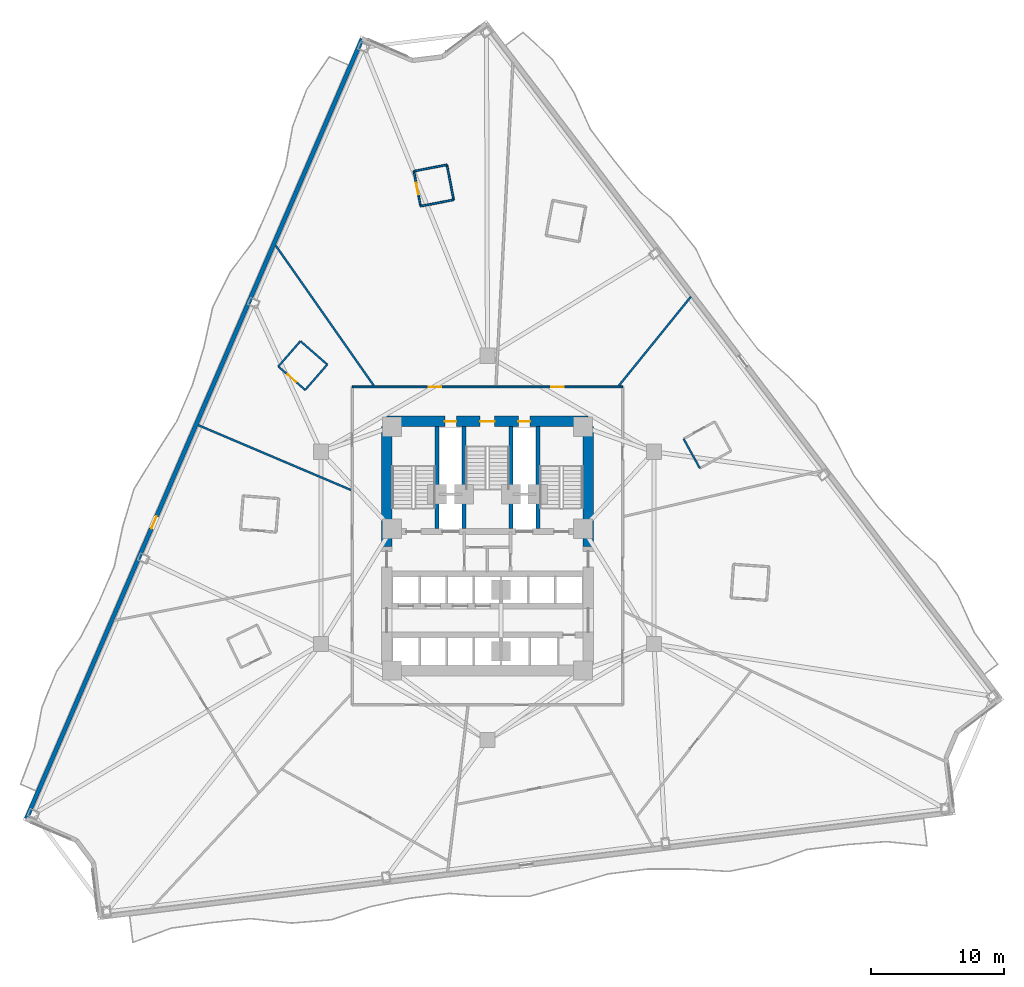
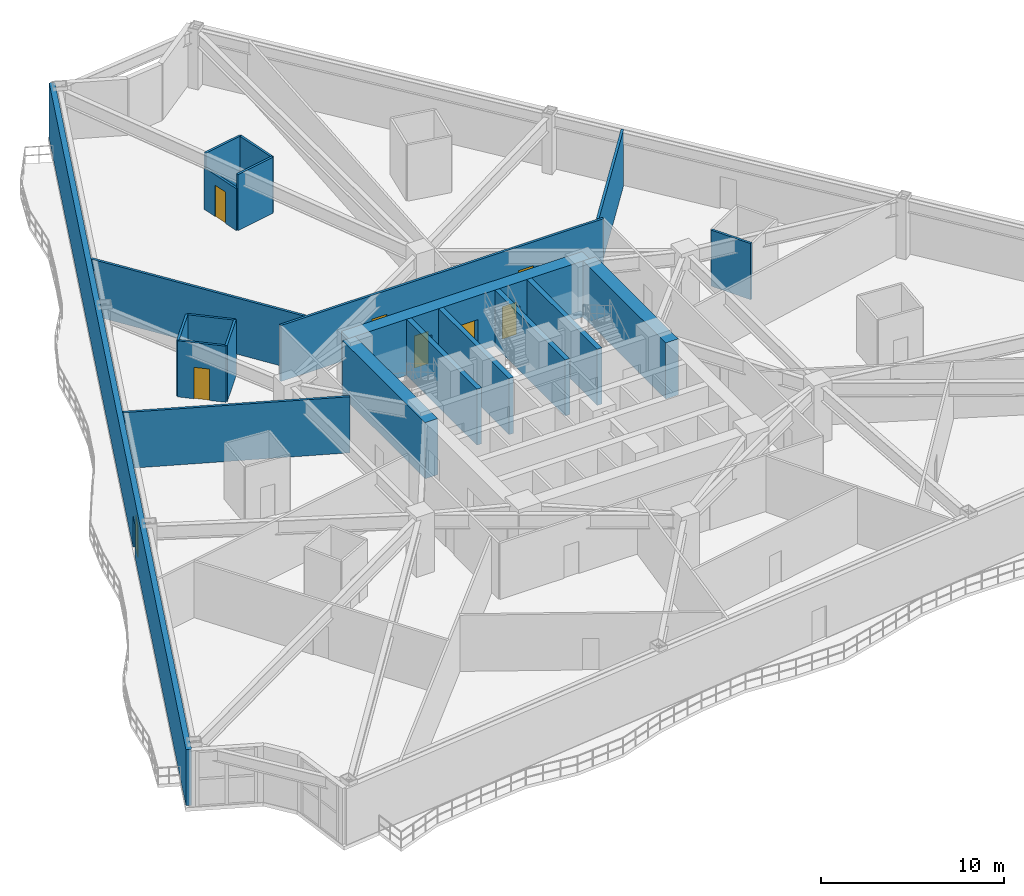
# One storey, part 10 of 17: 21 walls, 8 doors, 8 openings.
"""IFC4 building model written with IfcOpenShell, lengths in metres."""

from ifc_helpers import new_model, si_unit, direction, frame, frame_2d, origin, place, context, subcontext, project, spatial, rectangle, extrude, material, layer, layer_set, type_object, element, fill, save


model = new_model("IFC4")

# Units and contexts
model_context = context("Model", 3, precision=1e-05, world=origin(), true_north=direction((0.0, 1.0)))
body_context = subcontext(model_context, "Body", "Model", "MODEL_VIEW")
ifc_project = project(units=[si_unit("LENGTHUNIT", "METRE"), si_unit("AREAUNIT", "SQUARE_METRE"), si_unit("VOLUMEUNIT", "CUBIC_METRE"), si_unit("PLANEANGLEUNIT", "RADIAN"), si_unit("MASSUNIT", "GRAM", prefix="KILO")], contexts=[model_context])

# Site, building, storey
site_placement = place(None, origin())
site = spatial("IfcSite", under=ifc_project, at=site_placement, CompositionType="ELEMENT")
building_placement = place(site_placement, origin())
building = spatial("IfcBuilding", under=site, at=building_placement, Name="Apsidion Concourse Tower", CompositionType="ELEMENT")
storey_placement = place(building_placement, frame((0.0, 0.0, 75.0)))
storey = spatial("IfcBuildingStorey", under=building, at=storey_placement, Name="L16", CompositionType="ELEMENT", Elevation=75.0)

# Wall, opening, door
ifc_material_1 = material(Name="Precast concrete C40/50", Category="concrete")
ifc_layer_1 = layer(ifc_material_1, 0.320068359375)
ifc_layer_set_1 = layer_set([ifc_layer_1], Name="Precast concrete C40/50")
wall_type_1 = type_object("IfcWallType", Name="WL-EXT-320", PredefinedType="STANDARD", material=ifc_layer_set_1)
wall_1_placement = place(storey_placement, frame((-34.787353515625, -20.429443359375, 0.0), z_axis=(0.0, 0.0, 1.0), x_axis=(0.395418293843, 0.91850115563, 0.0)))
wall_1 = element("IfcWall", 1, at=wall_1_placement, inside=storey, type_object=wall_type_1, Name="L16 Precast Stone Facade Wall 09", PredefinedType="STANDARD", context=body_context, shape_type="SweptSolid", body=[
    extrude(rectangle(XDim=64.058349609375, YDim=0.320068359375, at=frame_2d((32.029296875, 0.0))), origin(), (0.0, 0.0, 1.0), 3.75),
])
opening_1_placement = place(wall_1_placement, frame((23.84228515625, 0.0, 0.0)))
opening_1 = element("IfcOpeningElement", 2, at=opening_1_placement, cuts=wall_1, Name="Opening D-T1L", PredefinedType="OPENING", context=body_context, shape_type="SweptSolid", body=[
    extrude(rectangle(XDim=1.0, YDim=2.14990234375, at=frame_2d((0.5, 1.074951171875))), frame((0.0, 0.169921875, 0.0), z_axis=(0.0, -1.0, 0.0), x_axis=(1.0, 0.0, 0.0)), (0.0, 0.0, 1.0), 0.340087890625),
])
ifc_material_2 = material(Name="Anodised aluminium EN AW-6063 T6", Category="aluminium")
door_type_1 = type_object("IfcDoorType", Name="DR-TER-1022L", OperationType="SINGLE_SWING_LEFT", PredefinedType="DOOR", material=ifc_material_2)
door_1_placement = place(opening_1_placement, origin())
door_1 = element("IfcDoor", 3, at=door_1_placement, inside=storey, type_object=door_type_1, Name="L16 Balcony Access Door 1", OperationType="SINGLE_SWING_LEFT", OverallHeight=2.14990234375, OverallWidth=1.0, PredefinedType="DOOR", context=body_context, shape_type="SweptSolid", body=[
    extrude(rectangle(XDim=1.0, YDim=2.14990234375, at=frame_2d((0.5, 1.074951171875))), frame((0.0, 0.02490234375, 0.0), z_axis=(0.0, -1.0, 0.0), x_axis=(1.0, 0.0, 0.0)), (0.0, 0.0, 1.0), 0.050048828125),
])
fill(opening_1, door_1)

# Walls
ifc_material_3 = material(Name="Gypsum plasterboard partition")
ifc_layer_2 = layer(ifc_material_3, 0.139892578125)
ifc_layer_set_2 = layer_set([ifc_layer_2], Name="Gypsum plasterboard partition")
wall_type_2 = type_object("IfcWallType", Name="WL-INT-PAR-140", PredefinedType="PARTITIONING", material=ifc_layer_set_2)
wall_2_placement = place(storey_placement, frame((14.80029296875, 8.23388671875, 0.0), z_axis=(0.0, 0.0, 1.0), x_axis=(0.483290772528, -0.87545989582, 0.0)))
element("IfcWall", 4, at=wall_2_placement, inside=storey, type_object=wall_type_2, Name="L16 Interior Partition WL-L16-POD-ENS05-S4", PredefinedType="PARTITIONING", context=body_context, shape_type="SweptSolid", body=[
    extrude(rectangle(XDim=2.5400390625, YDim=0.139892578125, at=frame_2d((1.27001953125, 0.0))), origin(), (0.0, 0.0, 1.0), 3.75),
])
wall_3_placement = place(storey_placement, frame((-2.548828125, 26.267333984375, 0.0), z_axis=(0.0, 0.0, 1.0), x_axis=(-0.189146988479, 0.981948785197, 0.0)))
element("IfcWall", 5, at=wall_3_placement, inside=storey, type_object=wall_type_2, Name="L16 Interior Partition WL-L16-POD-ENS07-S1", PredefinedType="PARTITIONING", context=body_context, shape_type="SweptSolid", body=[
    extrude(rectangle(XDim=2.68994140625, YDim=0.139892578125, at=frame_2d((1.344970703125, 0.0))), origin(), (0.0, 0.0, 1.0), 3.75),
])
wall_4_placement = place(storey_placement, frame((-3.0576171875, 28.90869140625, 0.0), z_axis=(0.0, 0.0, 1.0), x_axis=(-0.981963915314, -0.18906842418, 0.0)))
element("IfcWall", 6, at=wall_4_placement, inside=storey, type_object=wall_type_2, Name="L16 Interior Partition WL-L16-POD-ENS07-S2", PredefinedType="PARTITIONING", context=body_context, shape_type="SweptSolid", body=[
    extrude(rectangle(XDim=2.5400390625, YDim=0.139892578125, at=frame_2d((1.27001953125, 0.0))), origin(), (0.0, 0.0, 1.0), 3.75),
])

# Wall, opening, door
wall_5_placement = place(storey_placement, frame((-5.5517578125, 28.428466796875, 0.0), z_axis=(0.0, 0.0, 1.0), x_axis=(0.189059471851, -0.981965638963, 0.0)))
wall_5 = element("IfcWall", 7, at=wall_5_placement, inside=storey, type_object=wall_type_2, Name="L16 Interior Partition WL-L16-POD-ENS07-S3", PredefinedType="PARTITIONING", context=body_context, shape_type="SweptSolid", body=[
    extrude(rectangle(XDim=2.68994140625, YDim=0.139892578125, at=frame_2d((1.344970703125, 0.0))), origin(), (0.0, 0.0, 1.0), 2.798095703125),
])
opening_2_placement = place(wall_5_placement, frame((0.905029296875, 0.0, 0.0)))
opening_2 = element("IfcOpeningElement", 8, at=opening_2_placement, cuts=wall_5, Name="Opening D-03R", PredefinedType="OPENING", context=body_context, shape_type="SweptSolid", body=[
    extrude(rectangle(XDim=0.8798828125, YDim=2.10009765625, at=frame_2d((0.43994140625, 1.050048828125))), frame((0.0, 0.080078125, 0.0), z_axis=(0.0, -1.0, 0.0), x_axis=(1.0, 0.0, 0.0)), (0.0, 0.0, 1.0), 0.159912109375),
])
door_type_2 = type_object("IfcDoorType", Name="DR-INT-D03R", OperationType="SINGLE_SWING_RIGHT", PredefinedType="DOOR", material=ifc_material_2)
door_2_placement = place(opening_2_placement, origin())
door_2 = element("IfcDoor", 9, at=door_2_placement, inside=storey, type_object=door_type_2, Name="L16 Guest En-Suite Bathroom Door ENS07", OperationType="SINGLE_SWING_RIGHT", OverallHeight=2.10009765625, OverallWidth=0.8798828125, PredefinedType="DOOR", context=body_context, shape_type="SweptSolid", body=[
    extrude(rectangle(XDim=0.8798828125, YDim=2.10009765625, at=frame_2d((0.43994140625, 1.050048828125))), frame((0.0, 0.02490234375, 0.0), z_axis=(0.0, -1.0, 0.0), x_axis=(1.0, 0.0, 0.0)), (0.0, 0.0, 1.0), 0.050048828125),
])
fill(opening_2, door_2)

# Walls
wall_6_placement = place(storey_placement, frame((-5.043212890625, 25.787109375, 0.0), z_axis=(0.0, 0.0, 1.0), x_axis=(0.981967350823, 0.189050580314, 0.0)))
element("IfcWall", 10, at=wall_6_placement, inside=storey, type_object=wall_type_2, Name="L16 Interior Partition WL-L16-POD-ENS07-S4", PredefinedType="PARTITIONING", context=body_context, shape_type="SweptSolid", body=[
    extrude(rectangle(XDim=2.540283203125, YDim=0.139892578125, at=frame_2d((1.27001953125, 0.0))), origin(), (0.0, 0.0, 1.0), 3.75),
])
wall_7_placement = place(storey_placement, frame((-12.084228515625, 13.837158203125, 0.0), z_axis=(0.0, 0.0, 1.0), x_axis=(-0.753570970325, 0.657366558842, 0.0)))
element("IfcWall", 11, at=wall_7_placement, inside=storey, type_object=wall_type_2, Name="L16 Interior Partition WL-L16-POD-ENS08-S1", PredefinedType="PARTITIONING", context=body_context, shape_type="SweptSolid", body=[
    extrude(rectangle(XDim=2.68994140625, YDim=0.139892578125, at=frame_2d((1.344970703125, 0.0))), origin(), (0.0, 0.0, 1.0), 3.75),
])
wall_8_placement = place(storey_placement, frame((-14.111328125, 15.60546875, 0.0), z_axis=(0.0, 0.0, 1.0), x_axis=(-0.657360622572, -0.753576148701, 0.0)))
element("IfcWall", 12, at=wall_8_placement, inside=storey, type_object=wall_type_2, Name="L16 Interior Partition WL-L16-POD-ENS08-S2", PredefinedType="PARTITIONING", context=body_context, shape_type="SweptSolid", body=[
    extrude(rectangle(XDim=2.5400390625, YDim=0.139892578125, at=frame_2d((1.27001953125, 0.0))), origin(), (0.0, 0.0, 1.0), 3.75),
])

# Wall, opening, door
wall_9_placement = place(storey_placement, frame((-15.781005859375, 13.69140625, 0.0), z_axis=(0.0, 0.0, 1.0), x_axis=(0.753570970325, -0.657366558842, 0.0)))
wall_9 = element("IfcWall", 13, at=wall_9_placement, inside=storey, type_object=wall_type_2, Name="L16 Interior Partition WL-L16-POD-ENS08-S3", PredefinedType="PARTITIONING", context=body_context, shape_type="SweptSolid", body=[
    extrude(rectangle(XDim=2.68994140625, YDim=0.139892578125, at=frame_2d((1.344970703125, 0.0))), origin(), (0.0, 0.0, 1.0), 3.75),
])
opening_3_placement = place(wall_9_placement, frame((0.905029296875, 0.0, 0.0)))
opening_3 = element("IfcOpeningElement", 14, at=opening_3_placement, cuts=wall_9, Name="Opening D-03L", PredefinedType="OPENING", context=body_context, shape_type="SweptSolid", body=[
    extrude(rectangle(XDim=0.8798828125, YDim=2.10009765625, at=frame_2d((0.43994140625, 1.050048828125))), frame((0.0, 0.080078125, 0.0), z_axis=(0.0, -1.0, 0.0), x_axis=(1.0, 0.0, 0.0)), (0.0, 0.0, 1.0), 0.159912109375),
])
door_type_3 = type_object("IfcDoorType", Name="DR-INT-D03L", OperationType="SINGLE_SWING_LEFT", PredefinedType="DOOR", material=ifc_material_2)
door_3_placement = place(opening_3_placement, origin())
door_3 = element("IfcDoor", 15, at=door_3_placement, inside=storey, type_object=door_type_3, Name="L16 Guest En-Suite Bathroom Door ENS08", OperationType="SINGLE_SWING_LEFT", OverallHeight=2.10009765625, OverallWidth=0.8798828125, PredefinedType="DOOR", context=body_context, shape_type="SweptSolid", body=[
    extrude(rectangle(XDim=0.8798828125, YDim=2.10009765625, at=frame_2d((0.43994140625, 1.050048828125))), frame((0.0, 0.02490234375, 0.0), z_axis=(0.0, -1.0, 0.0), x_axis=(1.0, 0.0, 0.0)), (0.0, 0.0, 1.0), 0.050048828125),
])
fill(opening_3, door_3)

# Wall
wall_10_placement = place(storey_placement, frame((-13.75390625, 11.923095703125, 0.0), z_axis=(0.0, 0.0, 1.0), x_axis=(0.657360622572, 0.753576148701, 0.0)))
element("IfcWall", 16, at=wall_10_placement, inside=storey, type_object=wall_type_2, Name="L16 Interior Partition WL-L16-POD-ENS08-S4", PredefinedType="PARTITIONING", context=body_context, shape_type="SweptSolid", body=[
    extrude(rectangle(XDim=2.5400390625, YDim=0.139892578125, at=frame_2d((1.27001953125, 0.0))), origin(), (0.0, 0.0, 1.0), 3.75),
])

# Wall, openings, doors
ifc_layer_3 = layer(ifc_material_3, 0.14990234375)
ifc_layer_set_3 = layer_set([ifc_layer_3], Name="Gypsum plasterboard partition")
wall_type_3 = type_object("IfcWallType", Name="WL-INT-PAR-150", PredefinedType="PARTITIONING", material=ifc_layer_set_3)
wall_11_placement = place(storey_placement, frame((-10.199951171875, 12.14990234375, 0.0), z_axis=(0.0, 0.0, 1.0), x_axis=(1.0, 0.0, 0.0)))
wall_11 = element("IfcWall", 17, at=wall_11_placement, inside=storey, type_object=wall_type_3, Name="L16 Interior Partition WL-L16-CORR-01", PredefinedType="PARTITIONING", context=body_context, shape_type="SweptSolid", body=[
    extrude(rectangle(XDim=20.39990234375, YDim=0.14990234375, at=frame_2d((10.199951171875, 0.0))), origin(), (0.0, 0.0, 1.0), 3.75),
])
opening_4_placement = place(wall_11_placement, frame((15.008544921875, 0.0, 0.0)))
opening_4 = element("IfcOpeningElement", 18, at=opening_4_placement, cuts=wall_11, Name="Opening D-01L", PredefinedType="OPENING", context=body_context, shape_type="SweptSolid", body=[
    extrude(rectangle(XDim=0.949951171875, YDim=2.14990234375, at=frame_2d((0.47509765625, 1.074951171875))), frame((0.0, 0.0849609375, 0.0), z_axis=(0.0, -1.0, 0.0), x_axis=(1.0, 0.0, 0.0)), (0.0, 0.0, 1.0), 0.169921875),
])
opening_5_placement = place(wall_11_placement, frame((5.757080078125, 0.0, 0.0)))
opening_5 = element("IfcOpeningElement", 19, at=opening_5_placement, cuts=wall_11, Name="Opening D-01R", PredefinedType="OPENING", context=body_context, shape_type="SweptSolid", body=[
    extrude(rectangle(XDim=0.949951171875, YDim=2.14990234375, at=frame_2d((0.47509765625, 1.074951171875))), frame((0.0, 0.0849609375, 0.0), z_axis=(0.0, -1.0, 0.0), x_axis=(1.0, 0.0, 0.0)), (0.0, 0.0, 1.0), 0.169921875),
])
ifc_material_4 = material(Name="Brushed stainless steel 316", Category="steel")
door_type_4 = type_object("IfcDoorType", Name="DR-INT-D01L", OperationType="SINGLE_SWING_LEFT", PredefinedType="DOOR", material=ifc_material_4)
door_4_placement = place(opening_4_placement, origin())
door_4 = element("IfcDoor", 20, at=door_4_placement, inside=storey, type_object=door_type_4, Name="L16 Corridor Entry Door 07", OperationType="SINGLE_SWING_LEFT", OverallHeight=2.14990234375, OverallWidth=0.949951171875, PredefinedType="DOOR", context=body_context, shape_type="SweptSolid", body=[
    extrude(rectangle(XDim=0.949951171875, YDim=2.14990234375, at=frame_2d((0.47509765625, 1.074951171875))), frame((0.0, 0.02490234375, 0.0), z_axis=(0.0, -1.0, 0.0), x_axis=(1.0, 0.0, 0.0)), (0.0, 0.0, 1.0), 0.050048828125),
])
fill(opening_4, door_4)
door_type_5 = type_object("IfcDoorType", Name="DR-INT-D01R", OperationType="SINGLE_SWING_RIGHT", PredefinedType="DOOR", material=ifc_material_4)
door_5_placement = place(opening_5_placement, origin())
door_5 = element("IfcDoor", 21, at=door_5_placement, inside=storey, type_object=door_type_5, Name="L16 Corridor Entry Door 08", OperationType="SINGLE_SWING_RIGHT", OverallHeight=2.14990234375, OverallWidth=0.949951171875, PredefinedType="DOOR", context=body_context, shape_type="SweptSolid", body=[
    extrude(rectangle(XDim=0.949951171875, YDim=2.14990234375, at=frame_2d((0.47509765625, 1.074951171875))), frame((0.0, 0.02490234375, 0.0), z_axis=(0.0, -1.0, 0.0), x_axis=(1.0, 0.0, 0.0)), (0.0, 0.0, 1.0), 0.050048828125),
])
fill(opening_5, door_5)

# Walls
wall_12_placement = place(storey_placement, frame((9.923828125, 12.2548828125, 0.0), z_axis=(0.0, 0.0, 1.0), x_axis=(0.629323624844, 0.777143342771, 0.0)))
element("IfcWall", 22, at=wall_12_placement, inside=storey, type_object=wall_type_3, Name="L16 Interior Partition WL-L16-RAD-02-1", PredefinedType="PARTITIONING", context=body_context, shape_type="SweptSolid", body=[
    extrude(rectangle(XDim=8.624755859375, YDim=0.14990234375, at=frame_2d((4.3125, 0.0))), origin(), (0.0, 0.0, 1.0), 3.75),
])
wall_13_placement = place(storey_placement, frame((-8.5810546875, 12.2548828125, 0.0), z_axis=(0.0, 0.0, 1.0), x_axis=(-0.573567793506, 0.819158096006, 0.0)))
element("IfcWall", 23, at=wall_13_placement, inside=storey, type_object=wall_type_3, Name="L16 Interior Partition WL-L16-RAD-04-1", PredefinedType="PARTITIONING", context=body_context, shape_type="SweptSolid", body=[
    extrude(rectangle(XDim=12.896484375, YDim=0.14990234375, at=frame_2d((6.4482421875, 0.0))), origin(), (0.0, 0.0, 1.0), 3.75),
])
wall_14_placement = place(storey_placement, frame((-10.304931640625, 4.374267578125, 0.0), z_axis=(0.0, 0.0, 1.0), x_axis=(-0.920509868411, 0.390719313777, 0.0)))
element("IfcWall", 24, at=wall_14_placement, inside=storey, type_object=wall_type_3, Name="L16 Interior Partition WL-L16-RAD-05-1", PredefinedType="PARTITIONING", context=body_context, shape_type="SweptSolid", body=[
    extrude(rectangle(XDim=12.50439453125, YDim=0.14990234375, at=frame_2d((6.252197265625, 0.0))), origin(), (0.0, 0.0, 1.0), 3.75),
])
ifc_material_5 = material(Name="Concrete C50/60", Category="concrete")
ifc_layer_4 = layer(ifc_material_5, 0.300048828125)
ifc_layer_set_4 = layer_set([ifc_layer_4], Name="Concrete C50/60")
wall_type_4 = type_object("IfcWallType", Name="WL-SH-300", PredefinedType="SHEAR", material=ifc_layer_set_4)
for number, where, z_axis, x_axis, name in (
    (25, (-3.800048828125, 1.449951171875, 0.0), (0.0, 0.0, 1.0), (0.0, 1.0, 0.0), "L16 Central Core Shear Wall V1"),
    (26, (-1.77490234375, 1.449951171875, 0.0), (0.0, 0.0, 1.0), (0.0, 1.0, 0.0), "L16 Central Core Shear Wall V2"),
    (27, (1.77490234375, 1.449951171875, 0.0), (0.0, 0.0, 1.0), (0.0, 1.0, 0.0), "L16 Central Core Shear Wall V3"),
    (28, (3.800048828125, 1.449951171875, 0.0), (0.0, 0.0, 1.0), (0.0, 1.0, 0.0), "L16 Central Core Shear Wall V4"),
):
    element("IfcWall", number, at=place(storey_placement, frame(where, z_axis=z_axis, x_axis=x_axis)), inside=storey, type_object=wall_type_4, Name=name, PredefinedType="SHEAR", context=body_context, shape_type="SweptSolid", body=[
        extrude(rectangle(XDim=7.699951171875, YDim=0.300048828125, at=frame_2d((3.85009765625, 0.0))), origin(), (0.0, 0.0, 1.0), 3.75),
    ])

# Wall, openings, doors
ifc_material_6 = material(Name="Concrete C60/75", Category="concrete")
ifc_layer_5 = layer(ifc_material_6, 0.800048828125)
ifc_layer_set_5 = layer_set([ifc_layer_5], Name="Concrete C60/75")
wall_type_5 = type_object("IfcWallType", Name="WL-SH-800", PredefinedType="SHEAR", material=ifc_layer_set_5)
wall_15_placement = place(storey_placement, frame((-7.60009765625, 9.550048828125, 0.0), z_axis=(0.0, 0.0, 1.0), x_axis=(1.0, 0.0, 0.0)))
wall_15 = element("IfcWall", 29, at=wall_15_placement, inside=storey, type_object=wall_type_5, Name="L16 Central Core Shear Wall N", PredefinedType="SHEAR", context=body_context, shape_type="SweptSolid", body=[
    extrude(rectangle(XDim=15.2001953125, YDim=0.800048828125, at=frame_2d((7.60009765625, 0.0))), origin(), (0.0, 0.0, 1.0), 3.75),
])
opening_6_placement = place(wall_15_placement, frame((7.050048828125, 0.0, 0.0)))
opening_6 = element("IfcOpeningElement", 30, at=opening_6_placement, cuts=wall_15, Name="Opening D-STL", PredefinedType="OPENING", context=body_context, shape_type="SweptSolid", body=[
    extrude(rectangle(XDim=1.10009765625, YDim=2.14990234375, at=frame_2d((0.550048828125, 1.074951171875))), frame((0.0, 0.41015625, 0.0), z_axis=(0.0, -1.0, 0.0), x_axis=(1.0, 0.0, 0.0)), (0.0, 0.0, 1.0), 0.820068359375),
])
opening_7_placement = place(wall_15_placement, frame((4.3798828125, 0.0, 0.0)))
opening_7 = element("IfcOpeningElement", 31, at=opening_7_placement, cuts=wall_15, Name="Opening D-05L", PredefinedType="OPENING", context=body_context, shape_type="SweptSolid", body=[
    extrude(rectangle(XDim=0.8798828125, YDim=2.14990234375, at=frame_2d((0.43994140625, 1.074951171875))), frame((0.0, 0.41015625, 0.0), z_axis=(0.0, -1.0, 0.0), x_axis=(1.0, 0.0, 0.0)), (0.0, 0.0, 1.0), 0.820068359375),
])
opening_8_placement = place(wall_15_placement, frame((9.93994140625, 0.0, 0.0)))
opening_8 = element("IfcOpeningElement", 32, at=opening_8_placement, cuts=wall_15, Name="Opening D-05R", PredefinedType="OPENING", context=body_context, shape_type="SweptSolid", body=[
    extrude(rectangle(XDim=0.8798828125, YDim=2.14990234375, at=frame_2d((0.43994140625, 1.074951171875))), frame((0.0, 0.41015625, 0.0), z_axis=(0.0, -1.0, 0.0), x_axis=(1.0, 0.0, 0.0)), (0.0, 0.0, 1.0), 0.820068359375),
])
door_type_6 = type_object("IfcDoorType", Name="DR-INT-D05L", OperationType="SINGLE_SWING_LEFT", PredefinedType="DOOR", material=ifc_material_4)
door_6_placement = place(opening_7_placement, origin())
door_6 = element("IfcDoor", 33, at=door_6_placement, inside=storey, type_object=door_type_6, Name="L16 Electrical Riser Shaft Access Door", OperationType="SINGLE_SWING_LEFT", OverallHeight=2.14990234375, OverallWidth=0.8798828125, PredefinedType="DOOR", context=body_context, shape_type="SweptSolid", body=[
    extrude(rectangle(XDim=0.8798828125, YDim=2.14990234375, at=frame_2d((0.43994140625, 1.074951171875))), frame((0.0, 0.02490234375, 0.0), z_axis=(0.0, -1.0, 0.0), x_axis=(1.0, 0.0, 0.0)), (0.0, 0.0, 1.0), 0.050048828125),
])
fill(opening_7, door_6)
door_type_7 = type_object("IfcDoorType", Name="DR-INT-D05R", OperationType="SINGLE_SWING_RIGHT", PredefinedType="DOOR", material=ifc_material_4)
door_7_placement = place(opening_8_placement, origin())
door_7 = element("IfcDoor", 34, at=door_7_placement, inside=storey, type_object=door_type_7, Name="L16 Mechanical Riser Shaft Access Door", OperationType="SINGLE_SWING_RIGHT", OverallHeight=2.14990234375, OverallWidth=0.8798828125, PredefinedType="DOOR", context=body_context, shape_type="SweptSolid", body=[
    extrude(rectangle(XDim=0.8798828125, YDim=2.14990234375, at=frame_2d((0.43994140625, 1.074951171875))), frame((0.0, 0.02490234375, 0.0), z_axis=(0.0, -1.0, 0.0), x_axis=(1.0, 0.0, 0.0)), (0.0, 0.0, 1.0), 0.050048828125),
])
fill(opening_8, door_7)
door_type_8 = type_object("IfcDoorType", Name="DR-INT-ST1L", OperationType="SINGLE_SWING_LEFT", PredefinedType="DOOR", material=ifc_material_4)
door_8_placement = place(opening_6_placement, origin())
door_8 = element("IfcDoor", 35, at=door_8_placement, inside=storey, type_object=door_type_8, Name="L16 Core Exit Stair ST3 Door", OperationType="SINGLE_SWING_LEFT", OverallHeight=2.14990234375, OverallWidth=1.10009765625, PredefinedType="DOOR", context=body_context, shape_type="SweptSolid", body=[
    extrude(rectangle(XDim=1.10009765625, YDim=2.14990234375, at=frame_2d((0.550048828125, 1.074951171875))), frame((0.0, 0.02490234375, 0.0), z_axis=(0.0, -1.0, 0.0), x_axis=(1.0, 0.0, 0.0)), (0.0, 0.0, 1.0), 0.050048828125),
])
fill(opening_6, door_8)

# Walls
for number, where, z_axis, x_axis, name in (
    (36, (-7.60009765625, 0.10009765625, 0.0), (0.0, 0.0, 1.0), (0.0, 1.0, 0.0), "L16 Central Core Shear Wall WN"),
    (37, (7.60009765625, 0.10009765625, 0.0), (0.0, 0.0, 1.0), (0.0, 1.0, 0.0), "L16 Central Core Shear Wall EN"),
):
    element("IfcWall", number, at=place(storey_placement, frame(where, z_axis=z_axis, x_axis=x_axis)), inside=storey, type_object=wall_type_5, Name=name, PredefinedType="SHEAR", context=body_context, shape_type="SweptSolid", body=[
        extrude(rectangle(XDim=9.0498046875, YDim=0.800048828125, at=frame_2d((4.52490234375, 0.0))), origin(), (0.0, 0.0, 1.0), 3.75),
    ])

save(model, "model.ifc")
